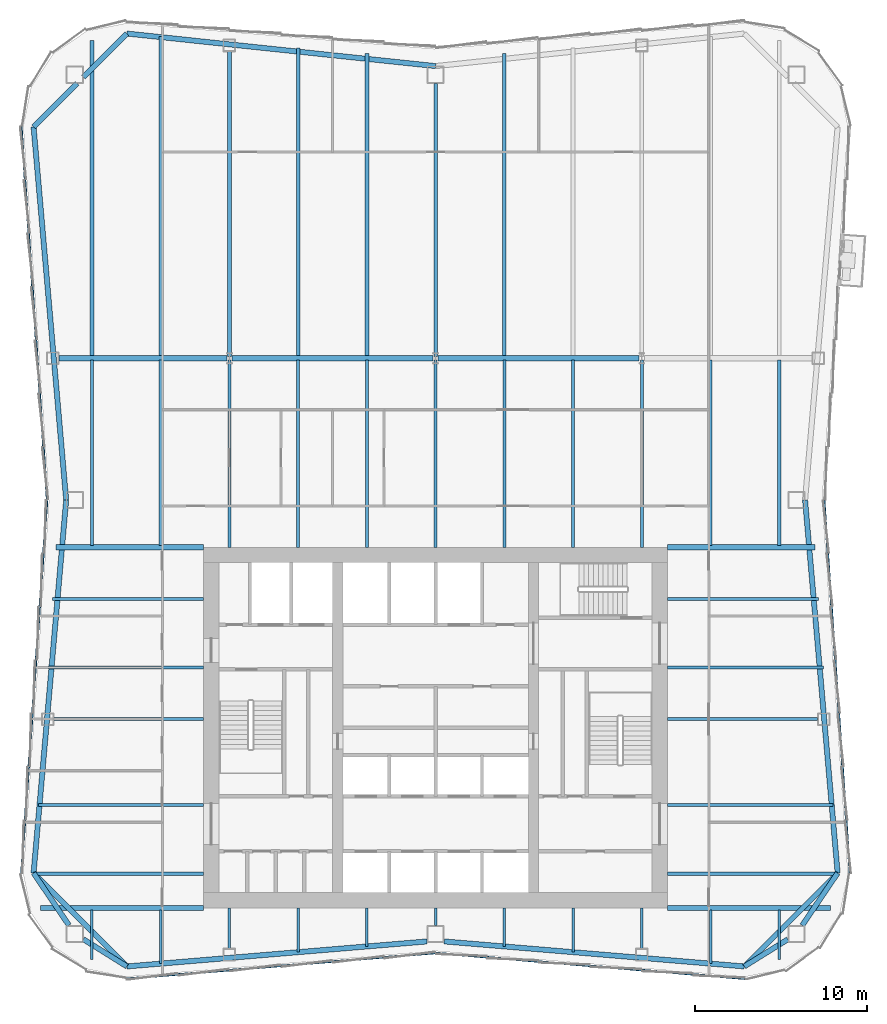
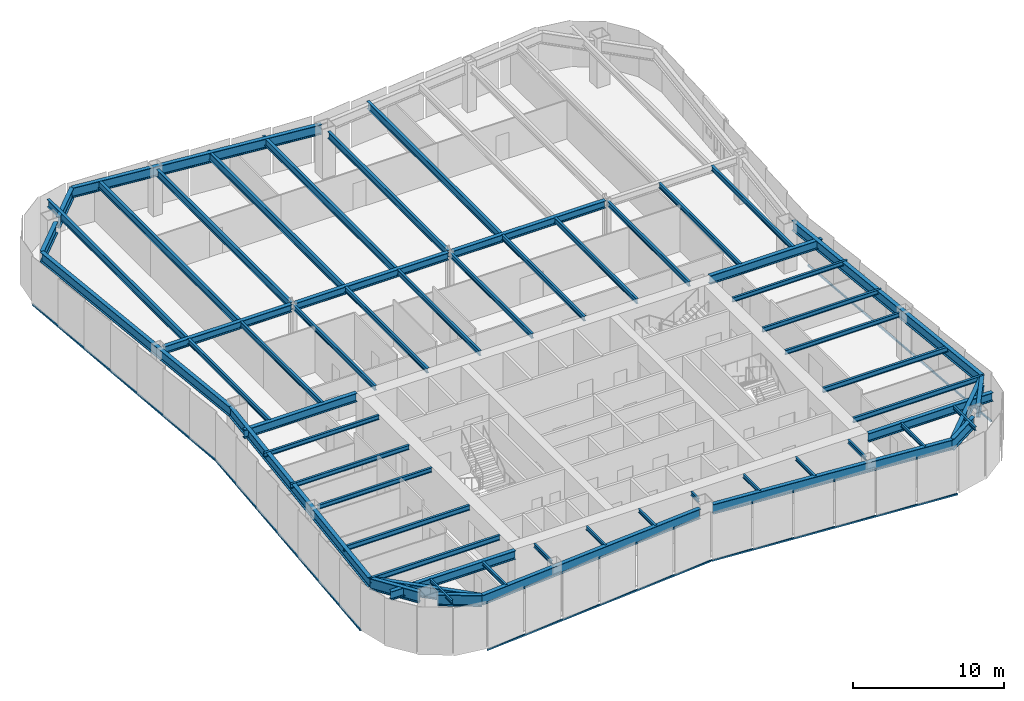
# One storey, part 2 of 10: 60 beams, 5 members, 3 elements without a shape of their own.
"""IFC4 building model written with IfcOpenShell, lengths in metres."""

from ifc_helpers import new_model, si_unit, direction, frame, origin, origin_2d, place, context, subcontext, project, spatial, rectangle, i_section, extrude, material, material_profile, profile_set, type_object, element, aggregate, save


model = new_model("IFC4")

# Units and contexts
model_context = context("Model", 3, precision=1e-05, world=origin(), true_north=direction((0.0, 1.0)))
body_context = subcontext(model_context, "Body", "Model", "MODEL_VIEW")
ifc_project = project(units=[si_unit("LENGTHUNIT", "METRE"), si_unit("AREAUNIT", "SQUARE_METRE"), si_unit("VOLUMEUNIT", "CUBIC_METRE"), si_unit("PLANEANGLEUNIT", "RADIAN"), si_unit("MASSUNIT", "GRAM", prefix="KILO")], contexts=[model_context])

# Site, building, storey
site_placement = place(None, origin())
site = spatial("IfcSite", under=ifc_project, at=site_placement, CompositionType="ELEMENT")
building_placement = place(site_placement, origin())
building = spatial("IfcBuilding", under=site, at=building_placement, Name="Verdant Reach Tower", CompositionType="ELEMENT")
storey_placement = place(building_placement, frame((0.0, 0.0, 222.0)))
storey = spatial("IfcBuildingStorey", under=building, at=storey_placement, Name="L51", CompositionType="ELEMENT", Elevation=222.0)

# Curtain wall, member
ifc_material_1 = material(Name="Anodised aluminium", Category="aluminium")
curtain_wall_type = type_object("IfcCurtainWallType", Name="EN-CW SYSTEM Z3", PredefinedType="NOTDEFINED", material=ifc_material_1)
curtain_wall_1_placement = place(storey_placement, origin())
curtain_wall_1 = element("IfcCurtainWall", 1, at=curtain_wall_1_placement, inside=storey, type_object=curtain_wall_type, Name="Curtain wall east, L51", PredefinedType="NOTDEFINED")
ifc_material_profile_1 = material_profile(ifc_material_1, rectangle(XDim=0.10009765625, YDim=0.1259765625, at=origin_2d()), Name="Transom 126x100")
ifc_profile_set_1 = profile_set([ifc_material_profile_1], Name="Anodised aluminium")
member_type = type_object("IfcMemberType", Name="EN-TRANSOM Z3", PredefinedType="USERDEFINED", material=ifc_profile_set_1)
member_1_placement = place(storey_placement, frame((24.1064453125, 19.52587890625, -0.287109375), z_axis=(-0.068764326054, 0.997632932226, 0.0), x_axis=(-0.997632932226, -0.068764326054, 0.0)))
member_1 = element("IfcMember", 2, at=member_1_placement, type_object=member_type, Name="Transom east face part 1 1.1, L51", ObjectType="TRANSOM", PredefinedType="USERDEFINED", context=body_context, shape_type="SweptSolid", body=[
    extrude(rectangle(XDim=0.10009765625, YDim=0.1259765625, at=origin_2d()), origin(), (0.0, 0.0, 1.0), 21.74267578125),
])
aggregate(curtain_wall_1, [member_1])

# Curtain wall, members
curtain_wall_2_placement = place(storey_placement, origin())
curtain_wall_2 = element("IfcCurtainWall", 3, at=curtain_wall_2_placement, inside=storey, type_object=curtain_wall_type, Name="Curtain wall west, L51", PredefinedType="NOTDEFINED")
member_2_placement = place(storey_placement, frame((-24.1064453125, 62.97412109375, -0.287109375), z_axis=(0.068764326054, -0.997632932226, 0.0), x_axis=(0.997632932226, 0.068764326054, 0.0)))
member_2 = element("IfcMember", 4, at=member_2_placement, type_object=member_type, Name="Transom west face part 1 1.1, L51", ObjectType="TRANSOM", PredefinedType="USERDEFINED", context=body_context, shape_type="SweptSolid", body=[
    extrude(rectangle(XDim=0.10009765625, YDim=0.1259765625, at=origin_2d()), origin(), (0.0, 0.0, 1.0), 21.74267578125),
])
member_3_placement = place(storey_placement, frame((-22.611328125, 41.217041015625, -0.287109375), z_axis=(-0.068764326054, -0.997632932226, 0.0), x_axis=(0.997632932226, -0.068764326054, 0.0)))
member_3 = element("IfcMember", 5, at=member_3_placement, type_object=member_type, Name="Transom west face part 2 1.1, L51", ObjectType="TRANSOM", PredefinedType="USERDEFINED", context=body_context, shape_type="SweptSolid", body=[
    extrude(rectangle(XDim=0.10009765625, YDim=0.1259765625, at=origin_2d()), origin(), (0.0, 0.0, 1.0), 21.74267578125),
])
aggregate(curtain_wall_2, [member_2, member_3])

curtain_wall_3_placement = place(storey_placement, origin())
curtain_wall_3 = element("IfcCurtainWall", 6, at=curtain_wall_3_placement, inside=storey, type_object=curtain_wall_type, Name="Curtain wall south, L51", PredefinedType="NOTDEFINED")
member_4_placement = place(storey_placement, frame((-17.973388671875, 13.393798828125, -0.287109375), z_axis=(0.996548750467, 0.083009565369, 0.0), x_axis=(-0.083009565369, 0.996548750467, 0.0)))
member_4 = element("IfcMember", 7, at=member_4_placement, type_object=member_type, Name="Transom south face part 1 1.1, L51", ObjectType="TRANSOM", PredefinedType="USERDEFINED", context=body_context, shape_type="SweptSolid", body=[
    extrude(rectangle(XDim=0.10009765625, YDim=0.1259765625, at=origin_2d()), origin(), (0.0, 0.0, 1.0), 18.00244140625),
])
member_5_placement = place(storey_placement, frame((0.032958984375, 14.88818359375, -0.287109375), z_axis=(0.996548750467, -0.083009565369, 0.0), x_axis=(0.083009565369, 0.996548750467, 0.0)))
member_5 = element("IfcMember", 8, at=member_5_placement, type_object=member_type, Name="Transom south face part 2 1.1, L51", ObjectType="TRANSOM", PredefinedType="USERDEFINED", context=body_context, shape_type="SweptSolid", body=[
    extrude(rectangle(XDim=0.10009765625, YDim=0.1259765625, at=origin_2d()), origin(), (0.0, 0.0, 1.0), 18.00244140625),
])
aggregate(curtain_wall_3, [member_4, member_5])

# Beams
ifc_material_2 = material(Name="Steel S355", Category="steel")
ifc_material_profile_2 = material_profile(ifc_material_2, i_section(OverallWidth=0.300048828125, OverallDepth=0.60009765625, WebThickness=0.015380859375, FlangeThickness=0.030029296875, FilletRadius=0.027099609375, at=origin_2d()), Name="HEB 600")
ifc_profile_set_2 = profile_set([ifc_material_profile_2], Name="Steel S355")
beam_type_1 = type_object("IfcBeamType", Name="ST-BEAM-HEB600", PredefinedType="BEAM", material=ifc_profile_set_2)
beam_1_placement = place(storey_placement, frame((-21.9189453125, 49.5, 3.449951171875), z_axis=(1.0, 0.0, 0.0), x_axis=(0.0, 1.0, 0.0)))
element("IfcBeam", 9, at=beam_1_placement, inside=storey, type_object=beam_type_1, Name="Row girder, L51", PredefinedType="BEAM", context=body_context, shape_type="SweptSolid", body=[
    extrude(i_section(OverallWidth=0.300048828125, OverallDepth=0.60009765625, WebThickness=0.015380859375, FlangeThickness=0.030029296875, FilletRadius=0.027099609375, at=origin_2d()), origin(), (0.0, 0.0, 1.0), 9.766357421875),
])
for number, where, z_axis, x_axis, name in (
    (10, (-11.847412109375, 49.5, 3.449951171875), (1.0, 0.0, 0.0), (0.0, 1.0, 0.0), "Row girder, L51"),
    (11, (0.152587890625, 49.5, 3.449951171875), (1.0, 0.0, 0.0), (0.0, 1.0, 0.0), "Row girder, L51"),
):
    element("IfcBeam", number, at=place(storey_placement, frame(where, z_axis=z_axis, x_axis=x_axis)), inside=storey, type_object=beam_type_1, Name=name, PredefinedType="BEAM", context=body_context, shape_type="SweptSolid", body=[
        extrude(i_section(OverallWidth=0.300048828125, OverallDepth=0.60009765625, WebThickness=0.015380859375, FlangeThickness=0.030029296875, FilletRadius=0.027099609375, at=origin_2d()), origin(), (0.0, 0.0, 1.0), 11.69482421875),
    ])
ifc_material_profile_3 = material_profile(ifc_material_2, i_section(OverallWidth=0.300048828125, OverallDepth=0.699951171875, WebThickness=0.01708984375, FlangeThickness=0.031982421875, FilletRadius=0.027099609375, at=origin_2d()), Name="HEB 700")
ifc_profile_set_3 = profile_set([ifc_material_profile_3], Name="Steel S355")
beam_type_2 = type_object("IfcBeamType", Name="ST-BEAM-HEB700", PredefinedType="BEAM", material=ifc_profile_set_3)
for number, where, z_axis, x_axis, name in (
    (12, (13.5, 38.5, 3.39990234375), (1.0, 0.0, 0.0), (0.0, 1.0, 0.0), "Trimmer beam, L51"),
    (13, (-13.5, 38.5, 3.39990234375), (-1.0, 0.0, 0.0), (0.0, -1.0, 0.0), "Trimmer beam, L51"),
):
    element("IfcBeam", number, at=place(storey_placement, frame(where, z_axis=z_axis, x_axis=x_axis)), inside=storey, type_object=beam_type_2, Name=name, PredefinedType="BEAM", context=body_context, shape_type="SweptSolid", body=[
        extrude(i_section(OverallWidth=0.300048828125, OverallDepth=0.699951171875, WebThickness=0.01708984375, FlangeThickness=0.031982421875, FilletRadius=0.027099609375, at=origin_2d()), origin(), (0.0, 0.0, 1.0), 8.588134765625),
    ])
for number, where, z_axis, x_axis, name in (
    (14, (13.5, 17.5, 3.39990234375), (1.0, 0.0, 0.0), (0.0, 1.0, 0.0), "Trimmer beam, L51"),
    (15, (-13.5, 17.5, 3.39990234375), (-1.0, 0.0, 0.0), (0.0, -1.0, 0.0), "Trimmer beam, L51"),
):
    element("IfcBeam", number, at=place(storey_placement, frame(where, z_axis=z_axis, x_axis=x_axis)), inside=storey, type_object=beam_type_2, Name=name, PredefinedType="BEAM", context=body_context, shape_type="SweptSolid", body=[
        extrude(i_section(OverallWidth=0.300048828125, OverallDepth=0.699951171875, WebThickness=0.01708984375, FlangeThickness=0.031982421875, FilletRadius=0.027099609375, at=origin_2d()), origin(), (0.0, 0.0, 1.0), 9.490478515625),
    ])
ifc_material_profile_4 = material_profile(ifc_material_2, i_section(OverallWidth=0.302001953125, OverallDepth=0.909912109375, WebThickness=0.02099609375, FlangeThickness=0.0400390625, FilletRadius=0.030029296875, at=origin_2d()), Name="HEM 900")
ifc_profile_set_4 = profile_set([ifc_material_profile_4], Name="Steel S355")
beam_type_3 = type_object("IfcBeamType", Name="ST-BEAM-HEM900", PredefinedType="BEAM", material=ifc_profile_set_4)
beam_2_placement = place(storey_placement, frame((20.5, 15.687744140625, 3.294921875), z_axis=(-0.848163521635, -0.529734500073, 0.0), x_axis=(0.529734500073, -0.848163521635, 0.0)))
element("IfcBeam", 16, at=beam_2_placement, inside=storey, type_object=beam_type_3, Name="Column stub beam, L51", PredefinedType="BEAM", context=body_context, shape_type="SweptSolid", body=[
    extrude(i_section(OverallWidth=0.302001953125, OverallDepth=0.909912109375, WebThickness=0.02099609375, FlangeThickness=0.0400390625, FilletRadius=0.030029296875, at=origin_2d()), origin(), (0.0, 0.0, 1.0), 2.98779296875),
])
beam_3_placement = place(storey_placement, frame((21.33837890625, 16.5, 3.294921875), z_axis=(0.560703975309, 0.828016335631, 0.0), x_axis=(-0.828016335631, 0.560703975309, 0.0)))
element("IfcBeam", 17, at=beam_3_placement, inside=storey, type_object=beam_type_3, Name="Column stub beam, L51", PredefinedType="BEAM", context=body_context, shape_type="SweptSolid", body=[
    extrude(i_section(OverallWidth=0.302001953125, OverallDepth=0.909912109375, WebThickness=0.02099609375, FlangeThickness=0.0400390625, FilletRadius=0.030029296875, at=origin_2d()), origin(), (0.0, 0.0, 1.0), 3.669677734375),
])
beam_4_placement = place(storey_placement, frame((-20.5, 15.687744140625, 3.294921875), z_axis=(0.848163521635, -0.529734500073, 0.0), x_axis=(0.529734500073, 0.848163521635, 0.0)))
element("IfcBeam", 18, at=beam_4_placement, inside=storey, type_object=beam_type_3, Name="Column stub beam, L51", PredefinedType="BEAM", context=body_context, shape_type="SweptSolid", body=[
    extrude(i_section(OverallWidth=0.302001953125, OverallDepth=0.909912109375, WebThickness=0.02099609375, FlangeThickness=0.0400390625, FilletRadius=0.030029296875, at=origin_2d()), origin(), (0.0, 0.0, 1.0), 2.98779296875),
])
beam_5_placement = place(storey_placement, frame((-21.33837890625, 16.5, 3.294921875), z_axis=(-0.560703975309, 0.828016335631, 0.0), x_axis=(-0.828016335631, -0.560703975309, 0.0)))
element("IfcBeam", 19, at=beam_5_placement, inside=storey, type_object=beam_type_3, Name="Column stub beam, L51", PredefinedType="BEAM", context=body_context, shape_type="SweptSolid", body=[
    extrude(i_section(OverallWidth=0.302001953125, OverallDepth=0.909912109375, WebThickness=0.02099609375, FlangeThickness=0.0400390625, FilletRadius=0.030029296875, at=origin_2d()), origin(), (0.0, 0.0, 1.0), 3.669677734375),
])
ifc_material_profile_5 = material_profile(ifc_material_2, i_section(OverallWidth=0.14990234375, OverallDepth=0.300048828125, WebThickness=0.007080078125, FlangeThickness=0.0107421875, FilletRadius=0.014892578125, at=origin_2d()), Name="IPE 300")
ifc_profile_set_5 = profile_set([ifc_material_profile_5], Name="Steel S355")
beam_type_4 = type_object("IfcBeamType", Name="ST-JOIST-IPE300", PredefinedType="JOIST", material=ifc_profile_set_5)
beam_6_placement = place(storey_placement, frame((-20.0, 17.39990234375, 3.60009765625), z_axis=(0.0, -1.0, 0.0), x_axis=(1.0, 0.0, 0.0)))
element("IfcBeam", 20, at=beam_6_placement, inside=storey, type_object=beam_type_4, Name="Floor joist, L51", PredefinedType="JOIST", context=body_context, shape_type="SweptSolid", body=[
    extrude(i_section(OverallWidth=0.14990234375, OverallDepth=0.300048828125, WebThickness=0.007080078125, FlangeThickness=0.0107421875, FilletRadius=0.014892578125, at=origin_2d()), origin(), (0.0, 0.0, 1.0), 2.890380859375),
])
beam_7_placement = place(storey_placement, frame((-16.0, 17.39990234375, 3.60009765625), z_axis=(0.0, -1.0, 0.0), x_axis=(1.0, 0.0, 0.0)))
element("IfcBeam", 21, at=beam_7_placement, inside=storey, type_object=beam_type_4, Name="Floor joist, L51", PredefinedType="JOIST", context=body_context, shape_type="SweptSolid", body=[
    extrude(i_section(OverallWidth=0.14990234375, OverallDepth=0.300048828125, WebThickness=0.007080078125, FlangeThickness=0.0107421875, FilletRadius=0.014892578125, at=origin_2d()), origin(), (0.0, 0.0, 1.0), 3.131103515625),
])
beam_8_placement = place(storey_placement, frame((-12.0, 17.5, 3.60009765625), z_axis=(0.0, -1.0, 0.0), x_axis=(1.0, 0.0, 0.0)))
element("IfcBeam", 22, at=beam_8_placement, inside=storey, type_object=beam_type_4, Name="Floor joist, L51", PredefinedType="JOIST", context=body_context, shape_type="SweptSolid", body=[
    extrude(i_section(OverallWidth=0.14990234375, OverallDepth=0.300048828125, WebThickness=0.007080078125, FlangeThickness=0.0107421875, FilletRadius=0.014892578125, at=origin_2d()), origin(), (0.0, 0.0, 1.0), 2.35009765625),
])
beam_9_placement = place(storey_placement, frame((-8.0, 17.5, 3.60009765625), z_axis=(0.0, -1.0, 0.0), x_axis=(1.0, 0.0, 0.0)))
element("IfcBeam", 23, at=beam_9_placement, inside=storey, type_object=beam_type_4, Name="Floor joist, L51", PredefinedType="JOIST", context=body_context, shape_type="SweptSolid", body=[
    extrude(i_section(OverallWidth=0.14990234375, OverallDepth=0.300048828125, WebThickness=0.007080078125, FlangeThickness=0.0107421875, FilletRadius=0.014892578125, at=origin_2d()), origin(), (0.0, 0.0, 1.0), 2.564697265625),
])
beam_10_placement = place(storey_placement, frame((-4.0, 17.5, 3.60009765625), z_axis=(0.0, -1.0, 0.0), x_axis=(1.0, 0.0, 0.0)))
element("IfcBeam", 24, at=beam_10_placement, inside=storey, type_object=beam_type_4, Name="Floor joist, L51", PredefinedType="JOIST", context=body_context, shape_type="SweptSolid", body=[
    extrude(i_section(OverallWidth=0.14990234375, OverallDepth=0.300048828125, WebThickness=0.007080078125, FlangeThickness=0.0107421875, FilletRadius=0.014892578125, at=origin_2d()), origin(), (0.0, 0.0, 1.0), 2.231201171875),
])
beam_11_placement = place(storey_placement, frame((0.0, 17.5, 3.60009765625), z_axis=(0.0, -1.0, 0.0), x_axis=(1.0, 0.0, 0.0)))
element("IfcBeam", 25, at=beam_11_placement, inside=storey, type_object=beam_type_4, Name="Floor joist, L51", PredefinedType="JOIST", context=body_context, shape_type="SweptSolid", body=[
    extrude(i_section(OverallWidth=0.14990234375, OverallDepth=0.300048828125, WebThickness=0.007080078125, FlangeThickness=0.0107421875, FilletRadius=0.014892578125, at=origin_2d()), origin(), (0.0, 0.0, 1.0), 1.0),
])
beam_12_placement = place(storey_placement, frame((4.0, 17.5, 3.60009765625), z_axis=(0.0, -1.0, 0.0), x_axis=(1.0, 0.0, 0.0)))
element("IfcBeam", 26, at=beam_12_placement, inside=storey, type_object=beam_type_4, Name="Floor joist, L51", PredefinedType="JOIST", context=body_context, shape_type="SweptSolid", body=[
    extrude(i_section(OverallWidth=0.14990234375, OverallDepth=0.300048828125, WebThickness=0.007080078125, FlangeThickness=0.0107421875, FilletRadius=0.014892578125, at=origin_2d()), origin(), (0.0, 0.0, 1.0), 2.231201171875),
])
beam_13_placement = place(storey_placement, frame((8.0, 17.5, 3.60009765625), z_axis=(0.0, -1.0, 0.0), x_axis=(1.0, 0.0, 0.0)))
element("IfcBeam", 27, at=beam_13_placement, inside=storey, type_object=beam_type_4, Name="Floor joist, L51", PredefinedType="JOIST", context=body_context, shape_type="SweptSolid", body=[
    extrude(i_section(OverallWidth=0.14990234375, OverallDepth=0.300048828125, WebThickness=0.007080078125, FlangeThickness=0.0107421875, FilletRadius=0.014892578125, at=origin_2d()), origin(), (0.0, 0.0, 1.0), 2.564697265625),
])
beam_14_placement = place(storey_placement, frame((12.0, 17.5, 3.60009765625), z_axis=(0.0, -1.0, 0.0), x_axis=(1.0, 0.0, 0.0)))
element("IfcBeam", 28, at=beam_14_placement, inside=storey, type_object=beam_type_4, Name="Floor joist, L51", PredefinedType="JOIST", context=body_context, shape_type="SweptSolid", body=[
    extrude(i_section(OverallWidth=0.14990234375, OverallDepth=0.300048828125, WebThickness=0.007080078125, FlangeThickness=0.0107421875, FilletRadius=0.014892578125, at=origin_2d()), origin(), (0.0, 0.0, 1.0), 2.35009765625),
])
beam_15_placement = place(storey_placement, frame((16.0, 17.39990234375, 3.60009765625), z_axis=(0.0, -1.0, 0.0), x_axis=(1.0, 0.0, 0.0)))
element("IfcBeam", 29, at=beam_15_placement, inside=storey, type_object=beam_type_4, Name="Floor joist, L51", PredefinedType="JOIST", context=body_context, shape_type="SweptSolid", body=[
    extrude(i_section(OverallWidth=0.14990234375, OverallDepth=0.300048828125, WebThickness=0.007080078125, FlangeThickness=0.0107421875, FilletRadius=0.014892578125, at=origin_2d()), origin(), (0.0, 0.0, 1.0), 3.131103515625),
])
beam_16_placement = place(storey_placement, frame((20.0, 17.39990234375, 3.60009765625), z_axis=(0.0, -1.0, 0.0), x_axis=(1.0, 0.0, 0.0)))
element("IfcBeam", 30, at=beam_16_placement, inside=storey, type_object=beam_type_4, Name="Floor joist, L51", PredefinedType="JOIST", context=body_context, shape_type="SweptSolid", body=[
    extrude(i_section(OverallWidth=0.14990234375, OverallDepth=0.300048828125, WebThickness=0.007080078125, FlangeThickness=0.0107421875, FilletRadius=0.014892578125, at=origin_2d()), origin(), (0.0, 0.0, 1.0), 2.890380859375),
])
ifc_material_profile_6 = material_profile(ifc_material_2, i_section(OverallWidth=0.169921875, OverallDepth=0.360107421875, WebThickness=0.008056640625, FlangeThickness=0.0126953125, FilletRadius=0.01806640625, at=origin_2d()), Name="IPE 360")
ifc_profile_set_6 = profile_set([ifc_material_profile_6], Name="Steel S355")
beam_type_5 = type_object("IfcBeamType", Name="ST-JOIST-IPE360", PredefinedType="JOIST", material=ifc_profile_set_6)
for number, where, z_axis, x_axis, name in (
    (31, (13.5, 28.5, 3.570068359375), (1.0, 0.0, 0.0), (0.0, 1.0, 0.0), "Floor joist, L51"),
    (32, (-13.5, 28.5, 3.570068359375), (-1.0, 0.0, 0.0), (0.0, -1.0, 0.0), "Floor joist, L51"),
):
    element("IfcBeam", number, at=place(storey_placement, frame(where, z_axis=z_axis, x_axis=x_axis)), inside=storey, type_object=beam_type_5, Name=name, PredefinedType="JOIST", context=body_context, shape_type="SweptSolid", body=[
        extrude(i_section(OverallWidth=0.169921875, OverallDepth=0.360107421875, WebThickness=0.008056640625, FlangeThickness=0.0126953125, FilletRadius=0.01806640625, at=origin_2d()), origin(), (0.0, 0.0, 1.0), 8.729248046875),
    ])
for number, where, z_axis, x_axis, name in (
    (33, (13.5, 31.5, 3.570068359375), (1.0, 0.0, 0.0), (0.0, 1.0, 0.0), "Floor joist, L51"),
    (34, (-13.5, 31.5, 3.570068359375), (-1.0, 0.0, 0.0), (0.0, -1.0, 0.0), "Floor joist, L51"),
):
    element("IfcBeam", number, at=place(storey_placement, frame(where, z_axis=z_axis, x_axis=x_axis)), inside=storey, type_object=beam_type_5, Name=name, PredefinedType="JOIST", context=body_context, shape_type="SweptSolid", body=[
        extrude(i_section(OverallWidth=0.169921875, OverallDepth=0.360107421875, WebThickness=0.008056640625, FlangeThickness=0.0126953125, FilletRadius=0.01806640625, at=origin_2d()), origin(), (0.0, 0.0, 1.0), 9.071044921875),
    ])
for number, where, z_axis, x_axis, name in (
    (35, (13.5, 35.5, 3.570068359375), (1.0, 0.0, 0.0), (0.0, 1.0, 0.0), "Floor joist, L51"),
    (36, (-13.5, 35.5, 3.570068359375), (-1.0, 0.0, 0.0), (0.0, -1.0, 0.0), "Floor joist, L51"),
):
    element("IfcBeam", number, at=place(storey_placement, frame(where, z_axis=z_axis, x_axis=x_axis)), inside=storey, type_object=beam_type_5, Name=name, PredefinedType="JOIST", context=body_context, shape_type="SweptSolid", body=[
        extrude(i_section(OverallWidth=0.169921875, OverallDepth=0.360107421875, WebThickness=0.008056640625, FlangeThickness=0.0126953125, FilletRadius=0.01806640625, at=origin_2d()), origin(), (0.0, 0.0, 1.0), 8.795166015625),
    ])
ifc_material_profile_7 = material_profile(ifc_material_2, i_section(OverallWidth=0.179931640625, OverallDepth=0.39990234375, WebThickness=0.008544921875, FlangeThickness=0.013427734375, FilletRadius=0.02099609375, at=origin_2d()), Name="IPE 400")
ifc_profile_set_7 = profile_set([ifc_material_profile_7], Name="Steel S355")
beam_type_6 = type_object("IfcBeamType", Name="ST-JOIST-IPE400", PredefinedType="JOIST", material=ifc_profile_set_7)
for number, where, z_axis, x_axis, name in (
    (37, (-20.0, 38.60009765625, 3.550048828125), (0.0, 1.0, 0.0), (-1.0, 0.0, 0.0), "Floor joist, L51"),
    (38, (-16.0, 38.60009765625, 3.550048828125), (0.0, 1.0, 0.0), (-1.0, 0.0, 0.0), "Floor joist, L51"),
):
    element("IfcBeam", number, at=place(storey_placement, frame(where, z_axis=z_axis, x_axis=x_axis)), inside=storey, type_object=beam_type_6, Name=name, PredefinedType="JOIST", context=body_context, shape_type="SweptSolid", body=[
        extrude(i_section(OverallWidth=0.179931640625, OverallDepth=0.39990234375, WebThickness=0.008544921875, FlangeThickness=0.013427734375, FilletRadius=0.02099609375, at=origin_2d()), origin(), (0.0, 0.0, 1.0), 10.7998046875),
    ])
for number, where, z_axis, x_axis, name in (
    (39, (-12.0, 38.5, 3.550048828125), (0.0, 1.0, 0.0), (-1.0, 0.0, 0.0), "Floor joist, L51"),
    (40, (-8.0, 38.5, 3.550048828125), (0.0, 1.0, 0.0), (-1.0, 0.0, 0.0), "Floor joist, L51"),
    (41, (-4.0, 38.5, 3.550048828125), (0.0, 1.0, 0.0), (-1.0, 0.0, 0.0), "Floor joist, L51"),
    (42, (0.0, 38.5, 3.550048828125), (0.0, 1.0, 0.0), (-1.0, 0.0, 0.0), "Floor joist, L51"),
    (43, (4.0, 38.5, 3.550048828125), (0.0, 1.0, 0.0), (-1.0, 0.0, 0.0), "Floor joist, L51"),
    (44, (8.0, 38.5, 3.550048828125), (0.0, 1.0, 0.0), (-1.0, 0.0, 0.0), "Floor joist, L51"),
    (45, (12.0, 38.5, 3.550048828125), (0.0, 1.0, 0.0), (-1.0, 0.0, 0.0), "Floor joist, L51"),
):
    element("IfcBeam", number, at=place(storey_placement, frame(where, z_axis=z_axis, x_axis=x_axis)), inside=storey, type_object=beam_type_6, Name=name, PredefinedType="JOIST", context=body_context, shape_type="SweptSolid", body=[
        extrude(i_section(OverallWidth=0.179931640625, OverallDepth=0.39990234375, WebThickness=0.008544921875, FlangeThickness=0.013427734375, FilletRadius=0.02099609375, at=origin_2d()), origin(), (0.0, 0.0, 1.0), 10.89990234375),
    ])
for number, where, z_axis, x_axis, name in (
    (46, (16.0, 38.60009765625, 3.550048828125), (0.0, 1.0, 0.0), (-1.0, 0.0, 0.0), "Floor joist, L51"),
    (47, (20.0, 38.60009765625, 3.550048828125), (0.0, 1.0, 0.0), (-1.0, 0.0, 0.0), "Floor joist, L51"),
):
    element("IfcBeam", number, at=place(storey_placement, frame(where, z_axis=z_axis, x_axis=x_axis)), inside=storey, type_object=beam_type_6, Name=name, PredefinedType="JOIST", context=body_context, shape_type="SweptSolid", body=[
        extrude(i_section(OverallWidth=0.179931640625, OverallDepth=0.39990234375, WebThickness=0.008544921875, FlangeThickness=0.013427734375, FilletRadius=0.02099609375, at=origin_2d()), origin(), (0.0, 0.0, 1.0), 10.7998046875),
    ])
for number, where, z_axis, x_axis, name in (
    (48, (13.5, 19.5, 3.550048828125), (1.0, 0.0, 0.0), (0.0, 1.0, 0.0), "Floor joist, L51"),
    (49, (-13.5, 19.5, 3.550048828125), (-1.0, 0.0, 0.0), (0.0, -1.0, 0.0), "Floor joist, L51"),
):
    element("IfcBeam", number, at=place(storey_placement, frame(where, z_axis=z_axis, x_axis=x_axis)), inside=storey, type_object=beam_type_6, Name=name, PredefinedType="JOIST", context=body_context, shape_type="SweptSolid", body=[
        extrude(i_section(OverallWidth=0.179931640625, OverallDepth=0.39990234375, WebThickness=0.008544921875, FlangeThickness=0.013427734375, FilletRadius=0.02099609375, at=origin_2d()), origin(), (0.0, 0.0, 1.0), 9.88818359375),
    ])
for number, where, z_axis, x_axis, name in (
    (50, (13.5, 23.5, 3.550048828125), (1.0, 0.0, 0.0), (0.0, 1.0, 0.0), "Floor joist, L51"),
    (51, (-13.5, 23.5, 3.550048828125), (-1.0, 0.0, 0.0), (0.0, -1.0, 0.0), "Floor joist, L51"),
):
    element("IfcBeam", number, at=place(storey_placement, frame(where, z_axis=z_axis, x_axis=x_axis)), inside=storey, type_object=beam_type_6, Name=name, PredefinedType="JOIST", context=body_context, shape_type="SweptSolid", body=[
        extrude(i_section(OverallWidth=0.179931640625, OverallDepth=0.39990234375, WebThickness=0.008544921875, FlangeThickness=0.013427734375, FilletRadius=0.02099609375, at=origin_2d()), origin(), (0.0, 0.0, 1.0), 9.622802734375),
    ])
ifc_material_profile_8 = material_profile(ifc_material_2, i_section(OverallWidth=0.2099609375, OverallDepth=0.550048828125, WebThickness=0.010986328125, FlangeThickness=0.01708984375, FilletRadius=0.02392578125, at=origin_2d()), Name="IPE 550")
ifc_profile_set_8 = profile_set([ifc_material_profile_8], Name="Steel S355")
beam_type_7 = type_object("IfcBeamType", Name="ST-JOIST-IPE550", PredefinedType="JOIST", material=ifc_profile_set_8)
beam_17_placement = place(storey_placement, frame((0.0, 49.60009765625, 3.47509765625), z_axis=(0.0, 1.0, 0.0), x_axis=(-1.0, 0.0, 0.0)))
element("IfcBeam", 52, at=beam_17_placement, inside=storey, type_object=beam_type_7, Name="Floor joist, L51", PredefinedType="JOIST", context=body_context, shape_type="SweptSolid", body=[
    extrude(i_section(OverallWidth=0.2099609375, OverallDepth=0.550048828125, WebThickness=0.010986328125, FlangeThickness=0.01708984375, FilletRadius=0.02392578125, at=origin_2d()), origin(), (0.0, 0.0, 1.0), 15.89990234375),
])
ifc_material_profile_9 = material_profile(ifc_material_2, i_section(OverallWidth=0.219970703125, OverallDepth=0.60009765625, WebThickness=0.011962890625, FlangeThickness=0.01904296875, FilletRadius=0.02392578125, at=origin_2d()), Name="IPE 600")
ifc_profile_set_9 = profile_set([ifc_material_profile_9], Name="Steel S355")
beam_type_8 = type_object("IfcBeamType", Name="ST-JOIST-IPE600", PredefinedType="JOIST", material=ifc_profile_set_9)
beam_18_placement = place(storey_placement, frame((-20.0, 49.60009765625, 3.449951171875), z_axis=(0.0, 1.0, 0.0), x_axis=(-1.0, 0.0, 0.0)))
element("IfcBeam", 53, at=beam_18_placement, inside=storey, type_object=beam_type_8, Name="Floor joist, L51", PredefinedType="JOIST", context=body_context, shape_type="SweptSolid", body=[
    extrude(i_section(OverallWidth=0.219970703125, OverallDepth=0.60009765625, WebThickness=0.011962890625, FlangeThickness=0.01904296875, FilletRadius=0.02392578125, at=origin_2d()), origin(), (0.0, 0.0, 1.0), 18.390380859375),
])
beam_19_placement = place(storey_placement, frame((-16.0, 49.60009765625, 3.449951171875), z_axis=(0.0, 1.0, 0.0), x_axis=(-1.0, 0.0, 0.0)))
element("IfcBeam", 54, at=beam_19_placement, inside=storey, type_object=beam_type_8, Name="Floor joist, L51", PredefinedType="JOIST", context=body_context, shape_type="SweptSolid", body=[
    extrude(i_section(OverallWidth=0.219970703125, OverallDepth=0.60009765625, WebThickness=0.011962890625, FlangeThickness=0.01904296875, FilletRadius=0.02392578125, at=origin_2d()), origin(), (0.0, 0.0, 1.0), 18.631103515625),
])
beam_20_placement = place(storey_placement, frame((-12.0, 49.60009765625, 3.449951171875), z_axis=(0.0, 1.0, 0.0), x_axis=(-1.0, 0.0, 0.0)))
element("IfcBeam", 55, at=beam_20_placement, inside=storey, type_object=beam_type_8, Name="Floor joist, L51", PredefinedType="JOIST", context=body_context, shape_type="SweptSolid", body=[
    extrude(i_section(OverallWidth=0.219970703125, OverallDepth=0.60009765625, WebThickness=0.011962890625, FlangeThickness=0.01904296875, FilletRadius=0.02392578125, at=origin_2d()), origin(), (0.0, 0.0, 1.0), 17.75),
])
beam_21_placement = place(storey_placement, frame((-8.0, 49.60009765625, 3.449951171875), z_axis=(0.0, 1.0, 0.0), x_axis=(-1.0, 0.0, 0.0)))
element("IfcBeam", 56, at=beam_21_placement, inside=storey, type_object=beam_type_8, Name="Floor joist, L51", PredefinedType="JOIST", context=body_context, shape_type="SweptSolid", body=[
    extrude(i_section(OverallWidth=0.219970703125, OverallDepth=0.60009765625, WebThickness=0.011962890625, FlangeThickness=0.01904296875, FilletRadius=0.02392578125, at=origin_2d()), origin(), (0.0, 0.0, 1.0), 17.964599609375),
])
for number, where, z_axis, x_axis, name in (
    (57, (-4.0, 49.60009765625, 3.449951171875), (0.0, 1.0, 0.0), (-1.0, 0.0, 0.0), "Floor joist, L51"),
    (58, (4.0, 49.60009765625, 3.449951171875), (0.0, 1.0, 0.0), (-1.0, 0.0, 0.0), "Floor joist, L51"),
):
    element("IfcBeam", number, at=place(storey_placement, frame(where, z_axis=z_axis, x_axis=x_axis)), inside=storey, type_object=beam_type_8, Name=name, PredefinedType="JOIST", context=body_context, shape_type="SweptSolid", body=[
        extrude(i_section(OverallWidth=0.219970703125, OverallDepth=0.60009765625, WebThickness=0.011962890625, FlangeThickness=0.01904296875, FilletRadius=0.02392578125, at=origin_2d()), origin(), (0.0, 0.0, 1.0), 17.631103515625),
    ])
ifc_material_profile_10 = material_profile(ifc_material_2, i_section(OverallWidth=0.300048828125, OverallDepth=0.800048828125, WebThickness=0.017578125, FlangeThickness=0.032958984375, FilletRadius=0.030029296875, at=origin_2d()), Name="HEB 800")
ifc_profile_set_10 = profile_set([ifc_material_profile_10], Name="Steel S355")
beam_type_9 = type_object("IfcBeamType", Name="ST-SPANDREL-HEB800", PredefinedType="SPANDREL", material=ifc_profile_set_10)
for number, where, z_axis, x_axis, name in (
    (59, (17.9658203125, 14.10498046875, 3.35009765625), (-0.99654652675, 0.083036257282, 0.0), (-0.083036257282, -0.99654652675, 0.0), "Edge beam, L51"),
    (60, (-0.5, 15.560302734375, 3.35009765625), (-0.99654652675, -0.083036257282, 0.0), (0.083036257282, -0.99654652675, 0.0), "Edge beam, L51"),
):
    element("IfcBeam", number, at=place(storey_placement, frame(where, z_axis=z_axis, x_axis=x_axis)), inside=storey, type_object=beam_type_9, Name=name, PredefinedType="SPANDREL", context=body_context, shape_type="SweptSolid", body=[
        extrude(i_section(OverallWidth=0.300048828125, OverallDepth=0.800048828125, WebThickness=0.017578125, FlangeThickness=0.032958984375, FilletRadius=0.030029296875, at=origin_2d()), origin(), (0.0, 0.0, 1.0), 17.5263671875),
    ])
for number, where, z_axis, x_axis, name in (
    (61, (-23.39599609375, 19.53857421875, 3.35009765625), (0.086996024331, 0.996208658741, 0.0), (-0.996208658741, 0.086996024331, 0.0), "Edge beam, L51"),
    (62, (-21.5, 41.25, 3.35009765625), (-0.086996024331, 0.996208658741, 0.0), (-0.996208658741, -0.086996024331, 0.0), "Edge beam, L51"),
):
    element("IfcBeam", number, at=place(storey_placement, frame(where, z_axis=z_axis, x_axis=x_axis)), inside=storey, type_object=beam_type_9, Name=name, PredefinedType="SPANDREL", context=body_context, shape_type="SweptSolid", body=[
        extrude(i_section(OverallWidth=0.300048828125, OverallDepth=0.800048828125, WebThickness=0.017578125, FlangeThickness=0.032958984375, FilletRadius=0.030029296875, at=origin_2d()), origin(), (0.0, 0.0, 1.0), 21.7939453125),
    ])
beam_22_placement = place(storey_placement, frame((-17.9658203125, 68.39501953125, 3.35009765625), z_axis=(0.994483067002, -0.104897232783, 0.0), x_axis=(0.104897232783, 0.994483067002, 0.0)))
element("IfcBeam", 63, at=beam_22_placement, inside=storey, type_object=beam_type_9, Name="Edge beam, L51", PredefinedType="SPANDREL", context=body_context, shape_type="SweptSolid", body=[
    extrude(i_section(OverallWidth=0.300048828125, OverallDepth=0.800048828125, WebThickness=0.017578125, FlangeThickness=0.032958984375, FilletRadius=0.030029296875, at=origin_2d()), origin(), (0.0, 0.0, 1.0), 18.0654296875),
])
beam_23_placement = place(storey_placement, frame((21.5, 41.25, 3.35009765625), z_axis=(0.086996024331, -0.996208658741, 0.0), x_axis=(0.996208658741, 0.086996024331, 0.0)))
element("IfcBeam", 64, at=beam_23_placement, inside=storey, type_object=beam_type_9, Name="Edge beam, L51", PredefinedType="SPANDREL", context=body_context, shape_type="SweptSolid", body=[
    extrude(i_section(OverallWidth=0.300048828125, OverallDepth=0.800048828125, WebThickness=0.017578125, FlangeThickness=0.032958984375, FilletRadius=0.030029296875, at=origin_2d()), origin(), (0.0, 0.0, 1.0), 21.7939453125),
])
ifc_material_profile_11 = material_profile(ifc_material_2, i_section(OverallWidth=0.302001953125, OverallDepth=0.909912109375, WebThickness=0.02099609375, FlangeThickness=0.0400390625, FilletRadius=0.030029296875, at=origin_2d()), Name="HEM 900")
ifc_profile_set_11 = profile_set([ifc_material_profile_11], Name="Steel S355")
beam_type_10 = type_object("IfcBeamType", Name="ST-SPANDREL-HEM900", PredefinedType="SPANDREL", material=ifc_profile_set_11)
beam_24_placement = place(storey_placement, frame((-17.9658203125, 14.10498046875, 3.294921875), z_axis=(-0.706884275642, 0.707329216738, 0.0), x_axis=(-0.707329216738, -0.706884275642, 0.0)))
element("IfcBeam", 65, at=beam_24_placement, inside=storey, type_object=beam_type_10, Name="Edge beam, L51", PredefinedType="SPANDREL", context=body_context, shape_type="SweptSolid", body=[
    extrude(i_section(OverallWidth=0.302001953125, OverallDepth=0.909912109375, WebThickness=0.02099609375, FlangeThickness=0.0400390625, FilletRadius=0.030029296875, at=origin_2d()), origin(), (0.0, 0.0, 1.0), 7.681884765625),
])
beam_25_placement = place(storey_placement, frame((-23.39599609375, 62.96142578125, 3.294921875), z_axis=(0.706902680526, 0.707310822952, 0.0), x_axis=(-0.707310822952, 0.706902680526, 0.0)))
element("IfcBeam", 66, at=beam_25_placement, inside=storey, type_object=beam_type_10, Name="Edge beam, L51", PredefinedType="SPANDREL", context=body_context, shape_type="SweptSolid", body=[
    extrude(i_section(OverallWidth=0.302001953125, OverallDepth=0.909912109375, WebThickness=0.02099609375, FlangeThickness=0.0400390625, FilletRadius=0.030029296875, at=origin_2d()), origin(), (0.0, 0.0, 1.0), 3.589111328125),
])
beam_26_placement = place(storey_placement, frame((-20.5, 65.859130859375, 3.294921875), z_axis=(0.706868394255, 0.707345087777, 0.0), x_axis=(-0.707345087777, 0.706868394255, 0.0)))
element("IfcBeam", 67, at=beam_26_placement, inside=storey, type_object=beam_type_10, Name="Edge beam, L51", PredefinedType="SPANDREL", context=body_context, shape_type="SweptSolid", body=[
    extrude(i_section(OverallWidth=0.302001953125, OverallDepth=0.909912109375, WebThickness=0.02099609375, FlangeThickness=0.0400390625, FilletRadius=0.030029296875, at=origin_2d()), origin(), (0.0, 0.0, 1.0), 3.5849609375),
])
beam_27_placement = place(storey_placement, frame((23.39599609375, 19.53857421875, 3.294921875), z_axis=(-0.706884275642, -0.707329216738, 0.0), x_axis=(0.707329216738, -0.706884275642, 0.0)))
element("IfcBeam", 68, at=beam_27_placement, inside=storey, type_object=beam_type_10, Name="Edge beam, L51", PredefinedType="SPANDREL", context=body_context, shape_type="SweptSolid", body=[
    extrude(i_section(OverallWidth=0.302001953125, OverallDepth=0.909912109375, WebThickness=0.02099609375, FlangeThickness=0.0400390625, FilletRadius=0.030029296875, at=origin_2d()), origin(), (0.0, 0.0, 1.0), 7.681884765625),
])

save(model, "model.ifc")
